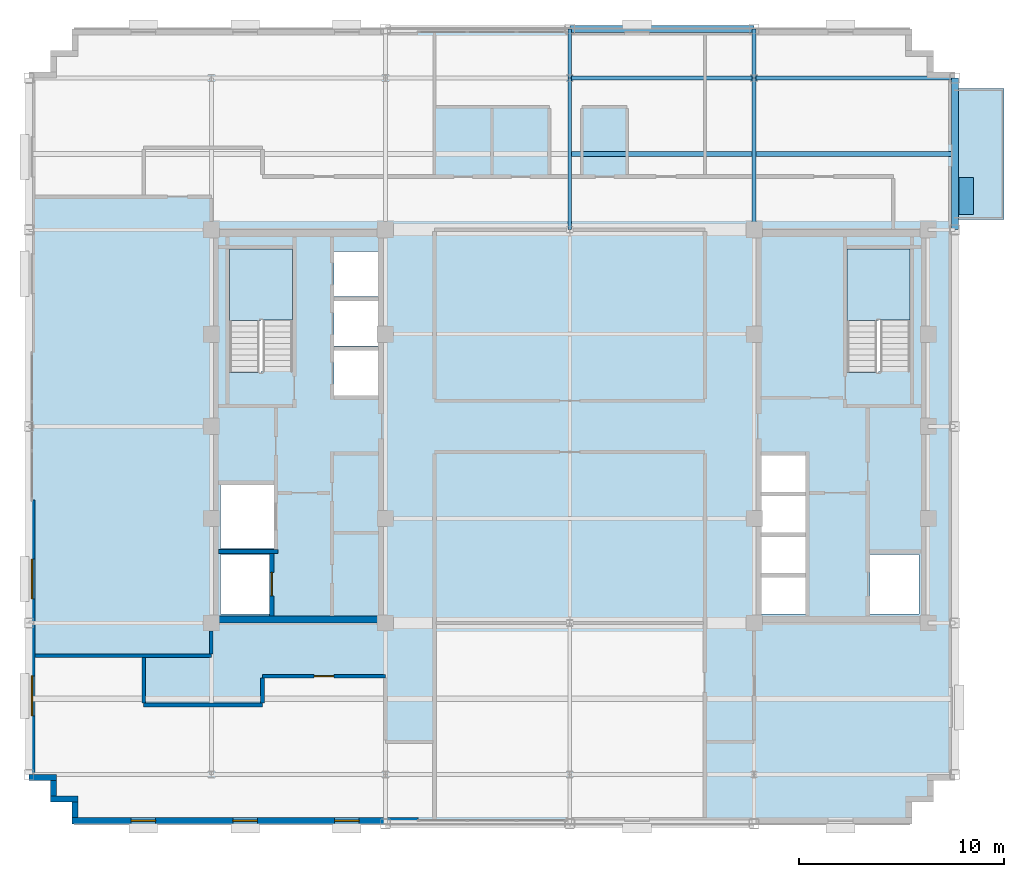
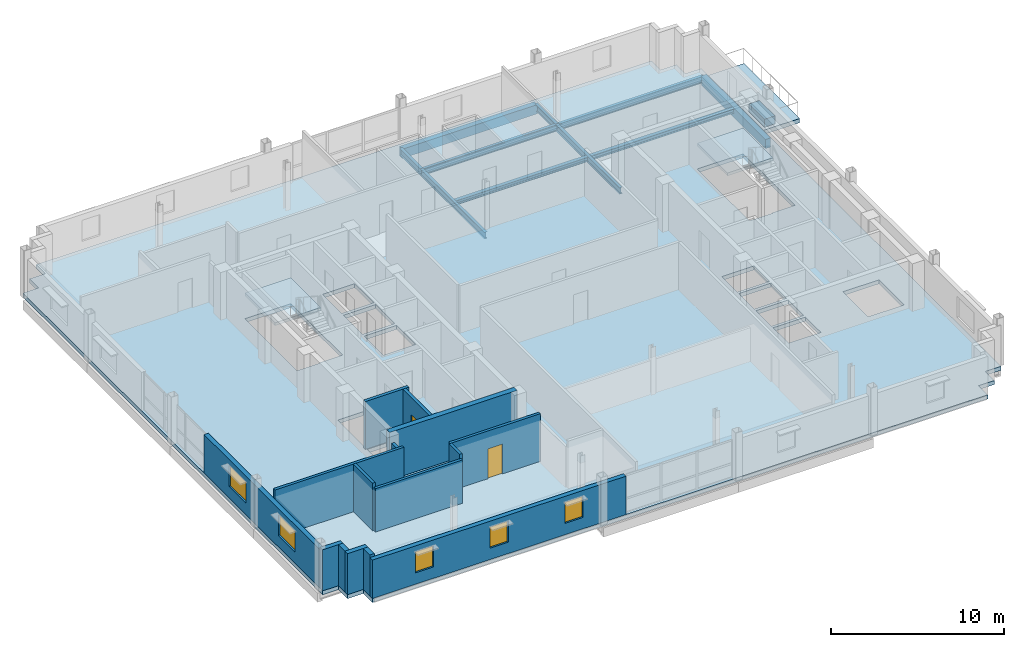
# One storey, part 5 of 16: 15 walls, 10 beams, 5 windows, 4 slabs, 2 doors, 1 plate, 7 openings, 2 elements without a shape of their own.
"""IFC4 building model written with IfcOpenShell, lengths in metres."""

from ifc_helpers import new_model, si_unit, direction, frame, frame_2d, origin, origin_2d, place, context, subcontext, project, spatial, polyline, rectangle, i_section, outline, extrude, source, transform, mapped, material, layer, layer_set, material_profile, profile_set, type_object, type_shapes, element, fill, aggregate, save


model = new_model("IFC4")

# Units and contexts
model_context = context("Model", 3, precision=1e-05, world=origin(), true_north=direction((0.0, 1.0)))
body_context = subcontext(model_context, "Body", "Model", "MODEL_VIEW")
ifc_project = project(units=[si_unit("LENGTHUNIT", "METRE"), si_unit("AREAUNIT", "SQUARE_METRE"), si_unit("VOLUMEUNIT", "CUBIC_METRE"), si_unit("PLANEANGLEUNIT", "RADIAN"), si_unit("MASSUNIT", "GRAM", prefix="KILO")], contexts=[model_context])

# Site, building, storey
site_placement = place(None, origin())
site = spatial("IfcSite", under=ifc_project, at=site_placement, CompositionType="ELEMENT")
building_placement = place(site_placement, origin())
building = spatial("IfcBuilding", under=site, at=building_placement, Name="Nuvemarco Arch Tower", CompositionType="ELEMENT")
storey_placement = place(building_placement, frame((0.0, 0.0, 227.39990234375)))
storey = spatial("IfcBuildingStorey", under=building, at=storey_placement, Name="L60", CompositionType="ELEMENT", Elevation=227.39990234375)

# Beams
ifc_material_1 = material(Name="Steel S355", Category="steel")
ifc_material_profile_1 = material_profile(ifc_material_1, i_section(OverallWidth=0.19189453125, OverallDepth=0.462890625, WebThickness=0.010498046875, FlangeThickness=0.017578125, FilletRadius=0.014892578125, at=origin_2d()), Name="W460x89")
ifc_profile_set_1 = profile_set([ifc_material_profile_1], Name="Steel S355")
beam_type_1 = type_object("IfcBeamType", Name="BM-GIRD-460", PredefinedType="BEAM", material=ifc_profile_set_1)
beam_1_placement = place(storey_placement, frame((0.0, 9.60009765625, -0.511474609375), z_axis=(0.0, 1.0, 0.0), x_axis=(-1.0, 0.0, 0.0)))
element("IfcBeam", 1, at=beam_1_placement, inside=storey, type_object=beam_type_1, Name="L60 structural beam BGNS_L60_0_+0.0_+9.6", PredefinedType="BEAM", context=body_context, shape_type="SweptSolid", body=[
    extrude(i_section(OverallWidth=0.19189453125, OverallDepth=0.462890625, WebThickness=0.010498046875, FlangeThickness=0.017578125, FilletRadius=0.014892578125, at=origin_2d()), origin(), (0.0, 0.0, 1.0), 7.39990234375),
])
beam_2_placement = place(storey_placement, frame((0.0, 17.0, -0.511474609375), z_axis=(0.0, 1.0, 0.0), x_axis=(-1.0, 0.0, 0.0)))
element("IfcBeam", 2, at=beam_2_placement, inside=storey, type_object=beam_type_1, Name="L60 structural beam BGNS_L60_0_+0.0_+17.0", PredefinedType="BEAM", context=body_context, shape_type="SweptSolid", body=[
    extrude(i_section(OverallWidth=0.19189453125, OverallDepth=0.462890625, WebThickness=0.010498046875, FlangeThickness=0.017578125, FilletRadius=0.014892578125, at=origin_2d()), origin(), (0.0, 0.0, 1.0), 2.39990234375),
])
beam_3_placement = place(storey_placement, frame((9.0, 9.60009765625, -0.511474609375), z_axis=(0.0, 1.0, 0.0), x_axis=(-1.0, 0.0, 0.0)))
element("IfcBeam", 3, at=beam_3_placement, inside=storey, type_object=beam_type_1, Name="L60 structural beam BGNS_L60_0_+9.0_+9.6", PredefinedType="BEAM", context=body_context, shape_type="SweptSolid", body=[
    extrude(i_section(OverallWidth=0.19189453125, OverallDepth=0.462890625, WebThickness=0.010498046875, FlangeThickness=0.017578125, FilletRadius=0.014892578125, at=origin_2d()), origin(), (0.0, 0.0, 1.0), 7.39990234375),
])
beam_4_placement = place(storey_placement, frame((9.0, 17.0, -0.511474609375), z_axis=(0.0, 1.0, 0.0), x_axis=(-1.0, 0.0, 0.0)))
element("IfcBeam", 4, at=beam_4_placement, inside=storey, type_object=beam_type_1, Name="L60 structural beam BGNS_L60_0_+9.0_+17.0", PredefinedType="BEAM", context=body_context, shape_type="SweptSolid", body=[
    extrude(i_section(OverallWidth=0.19189453125, OverallDepth=0.462890625, WebThickness=0.010498046875, FlangeThickness=0.017578125, FilletRadius=0.014892578125, at=origin_2d()), origin(), (0.0, 0.0, 1.0), 2.39990234375),
])
beam_5_placement = place(storey_placement, frame((0.0, 17.0, -0.511474609375), z_axis=(1.0, 0.0, 0.0), x_axis=(0.0, 1.0, 0.0)))
element("IfcBeam", 5, at=beam_5_placement, inside=storey, type_object=beam_type_1, Name="L60 structural beam BGEW_L60_0_+17.0_+0.0", PredefinedType="BEAM", context=body_context, shape_type="SweptSolid", body=[
    extrude(i_section(OverallWidth=0.19189453125, OverallDepth=0.462890625, WebThickness=0.010498046875, FlangeThickness=0.017578125, FilletRadius=0.014892578125, at=origin_2d()), origin(), (0.0, 0.0, 1.0), 9.0),
])
beam_6_placement = place(storey_placement, frame((9.0, 17.0, -0.511474609375), z_axis=(1.0, 0.0, 0.0), x_axis=(0.0, 1.0, 0.0)))
element("IfcBeam", 6, at=beam_6_placement, inside=storey, type_object=beam_type_1, Name="L60 structural beam BGEW_L60_0_+17.0_+9.0", PredefinedType="BEAM", context=body_context, shape_type="SweptSolid", body=[
    extrude(i_section(OverallWidth=0.19189453125, OverallDepth=0.462890625, WebThickness=0.010498046875, FlangeThickness=0.017578125, FilletRadius=0.014892578125, at=origin_2d()), origin(), (0.0, 0.0, 1.0), 9.800048828125),
])
ifc_material_profile_2 = material_profile(ifc_material_1, i_section(OverallWidth=0.25390625, OverallDepth=0.305908203125, WebThickness=0.0087890625, FlangeThickness=0.0146484375, FilletRadius=0.014892578125, at=origin_2d()), Name="W310x79")
ifc_profile_set_2 = profile_set([ifc_material_profile_2], Name="Steel S355")
beam_type_2 = type_object("IfcBeamType", Name="BM-JOIST-310H", PredefinedType="JOIST", material=ifc_profile_set_2)
beam_7_placement = place(storey_placement, frame((0.095947265625, 13.300048828125, -0.432861328125), z_axis=(1.0, 0.0, 0.0), x_axis=(0.0, 1.0, 0.0)))
element("IfcBeam", 7, at=beam_7_placement, inside=storey, type_object=beam_type_2, Name="L60 structural beam BJ_L60_0_+13.3_+0.0", PredefinedType="JOIST", context=body_context, shape_type="SweptSolid", body=[
    extrude(i_section(OverallWidth=0.25390625, OverallDepth=0.305908203125, WebThickness=0.0087890625, FlangeThickness=0.0146484375, FilletRadius=0.014892578125, at=origin_2d()), origin(), (0.0, 0.0, 1.0), 8.80810546875),
])
beam_8_placement = place(storey_placement, frame((9.095947265625, 13.300048828125, -0.432861328125), z_axis=(1.0, 0.0, 0.0), x_axis=(0.0, 1.0, 0.0)))
element("IfcBeam", 8, at=beam_8_placement, inside=storey, type_object=beam_type_2, Name="L60 structural beam BJ_L60_0_+13.3_+9.0", PredefinedType="JOIST", context=body_context, shape_type="SweptSolid", body=[
    extrude(i_section(OverallWidth=0.25390625, OverallDepth=0.305908203125, WebThickness=0.0087890625, FlangeThickness=0.0146484375, FilletRadius=0.014892578125, at=origin_2d()), origin(), (0.0, 0.0, 1.0), 9.529052734375),
])
ifc_material_2 = material(Name="Precast concrete C45/55", Category="concrete")
ifc_material_profile_3 = material_profile(ifc_material_2, rectangle(XDim=0.35009765625, YDim=0.64990234375, at=origin_2d()), Name="PC-SP-350x650")
ifc_profile_set_3 = profile_set([ifc_material_profile_3], Name="Precast concrete C45/55")
beam_type_3 = type_object("IfcBeamType", Name="BM-SPAN-RC", PredefinedType="SPANDREL", material=ifc_profile_set_3)
beam_9_placement = place(storey_placement, frame((18.800048828125, 9.60009765625, -0.60498046875), z_axis=(0.0, 1.0, 0.0), x_axis=(-1.0, 0.0, 0.0)))
element("IfcBeam", 9, at=beam_9_placement, inside=storey, type_object=beam_type_3, Name="L60 structural beam BGNS_L60_0_+18.8_+9.6", PredefinedType="SPANDREL", context=body_context, shape_type="SweptSolid", body=[
    extrude(rectangle(XDim=0.35009765625, YDim=0.64990234375, at=origin_2d()), origin(), (0.0, 0.0, 1.0), 7.39990234375),
])
beam_10_placement = place(storey_placement, frame((0.0, 19.39990234375, -0.60498046875), z_axis=(1.0, 0.0, 0.0), x_axis=(0.0, 1.0, 0.0)))
element("IfcBeam", 10, at=beam_10_placement, inside=storey, type_object=beam_type_3, Name="L60 structural beam BGEW_L60_0_+19.4_+0.0", PredefinedType="SPANDREL", context=body_context, shape_type="SweptSolid", body=[
    extrude(rectangle(XDim=0.35009765625, YDim=0.64990234375, at=origin_2d()), origin(), (0.0, 0.0, 1.0), 9.0),
])

# Slab
ifc_material_3 = material(Name="Concrete C50/60", Category="concrete")
ifc_layer_1 = layer(ifc_material_3, 0.280029296875, Name="SL-FLR-280")
ifc_layer_set_1 = layer_set([ifc_layer_1], Name="Concrete C50/60")
slab_type_1 = type_object("IfcSlabType", Name="SL-FLR-280", PredefinedType="FLOOR", material=ifc_layer_set_1)
slab_1_placement = place(storey_placement, frame((0.0, 0.0, -0.27978515625)))
element("IfcSlab", 11, at=slab_1_placement, inside=storey, type_object=slab_type_1, Name="L60 structural floor slab", PredefinedType="FLOOR", context=body_context, shape_type="SweptSolid", body=[
    extrude(outline(polyline([(-24.300048828125, -19.39990234375), (16.699951171875, -19.39990234375), (16.699951171875, -18.35009765625), (17.75, -18.35009765625), (17.75, -17.300048828125), (18.800048828125, -17.300048828125), (18.800048828125, 17.300048828125), (17.75, 17.300048828125), (17.75, 18.35009765625), (16.699951171875, 18.35009765625), (16.699951171875, 19.39990234375), (-24.300048828125, 19.39990234375), (-24.300048828125, 18.35009765625), (-25.35009765625, 18.35009765625), (-25.35009765625, 17.300048828125), (-26.39990234375, 17.300048828125), (-26.39990234375, -17.300048828125), (-25.35009765625, -17.300048828125), (-25.35009765625, -18.35009765625), (-24.300048828125, -18.35009765625), (-24.300048828125, -19.39990234375)]), holes=[polyline([(-13.5400390625, 2.669921875), (-13.5400390625, 8.64990234375), (-16.60009765625, 8.64990234375), (-16.60009765625, 2.630615234375), (-15.070068359375, 2.630615234375), (-15.070068359375, 2.669921875), (-13.5400390625, 2.669921875)]), polyline([(16.60009765625, 2.669921875), (16.60009765625, 8.64990234375), (13.5400390625, 8.64990234375), (13.5400390625, 2.630615234375), (15.070068359375, 2.630615234375), (15.070068359375, 2.669921875), (16.60009765625, 2.669921875)]), polyline([(-17.050048828125, -9.14990234375), (-14.64990234375, -9.14990234375), (-14.64990234375, -6.25), (-17.050048828125, -6.25), (-17.050048828125, -9.14990234375)]), polyline([(-17.050048828125, -5.949951171875), (-14.449951171875, -5.949951171875), (-14.449951171875, -2.85009765625), (-17.050048828125, -2.85009765625), (-17.050048828125, -5.949951171875)]), polyline([(-11.5, 1.5), (-9.35009765625, 1.5), (-9.35009765625, 3.699951171875), (-11.5, 3.699951171875), (-11.5, 1.5)]), polyline([(-11.5, 3.919921875), (-9.35009765625, 3.919921875), (-9.35009765625, 6.1201171875), (-11.5, 6.1201171875), (-11.5, 3.919921875)]), polyline([(-11.5, 6.340087890625), (-9.35009765625, 6.340087890625), (-9.35009765625, 8.5400390625), (-11.5, 8.5400390625), (-11.5, 6.340087890625)]), polyline([(14.64990234375, -9.14990234375), (17.050048828125, -9.14990234375), (17.050048828125, -6.25), (14.64990234375, -6.25), (14.64990234375, -9.14990234375)]), polyline([(9.35009765625, -9.14990234375), (11.5, -9.14990234375), (11.5, -7.3701171875), (9.35009765625, -7.3701171875), (9.35009765625, -9.14990234375)]), polyline([(9.35009765625, -7.169921875), (11.5, -7.169921875), (11.5, -5.389892578125), (9.35009765625, -5.389892578125), (9.35009765625, -7.169921875)]), polyline([(9.35009765625, -5.18994140625), (11.5, -5.18994140625), (11.5, -3.409912109375), (9.35009765625, -3.409912109375), (9.35009765625, -5.18994140625)]), polyline([(9.35009765625, -3.2099609375), (11.5, -3.2099609375), (11.5, -1.429931640625), (9.35009765625, -1.429931640625), (9.35009765625, -3.2099609375)])]), origin(), (0.0, 0.0, 1.0), 0.27978515625),
])

# Stair, slab
stair_type = type_object("IfcStairType", Name="ST-CORE-20R", PredefinedType="HALF_TURN_STAIR", material=ifc_material_2)
stair_1_placement = place(storey_placement, origin())
stair_1 = element("IfcStair", 12, at=stair_1_placement, inside=storey, type_object=stair_type, Name="L60 Protected Exit Stair ST-1", PredefinedType="HALF_TURN_STAIR")
ifc_layer_2 = layer(ifc_material_2, 0.199951171875, Name="SL-LANDING-200")
ifc_layer_set_2 = layer_set([ifc_layer_2], Name="Precast concrete C45/55")
slab_type_2 = type_object("IfcSlabType", Name="SL-LANDING-200", PredefinedType="LANDING", material=ifc_layer_set_2)
slab_2_placement = place(storey_placement, frame((0.0, 0.0, 1.625)))
slab_2 = element("IfcSlab", 13, at=slab_2_placement, type_object=slab_type_2, Name="ST-20R landing 1", PredefinedType="LANDING", context=body_context, shape_type="SweptSolid", body=[
    extrude(outline(polyline([(-13.5400390625, 5.189453125), (-13.5400390625, 8.64990234375), (-16.60009765625, 8.64990234375), (-16.60009765625, 5.169921875), (-15.070068359375, 5.169921875), (-15.070068359375, 5.189453125), (-13.5400390625, 5.189453125)])), origin(), (0.0, 0.0, 1.0), 0.2001953125),
])
aggregate(stair_1, [slab_2])

stair_2_placement = place(storey_placement, origin())
stair_2 = element("IfcStair", 14, at=stair_2_placement, inside=storey, type_object=stair_type, Name="L60 Protected Exit Stair ST-2", PredefinedType="HALF_TURN_STAIR")
slab_3_placement = place(storey_placement, frame((0.0, 0.0, 1.625)))
slab_3 = element("IfcSlab", 15, at=slab_3_placement, type_object=slab_type_2, Name="ST-20R landing 1", PredefinedType="LANDING", context=body_context, shape_type="SweptSolid", body=[
    extrude(outline(polyline([(16.60009765625, 5.189453125), (16.60009765625, 8.64990234375), (13.5400390625, 8.64990234375), (13.5400390625, 5.169921875), (15.070068359375, 5.169921875), (15.070068359375, 5.189453125), (16.60009765625, 5.189453125)])), origin(), (0.0, 0.0, 1.0), 0.2001953125),
])
aggregate(stair_2, [slab_3])

# Slab
ifc_layer_3 = layer(ifc_material_3, 0.294921875, Name="SL-TR4")
ifc_layer_set_3 = layer_set([ifc_layer_3], Name="Concrete C50/60")
slab_type_3 = type_object("IfcSlabType", Name="SL-TR4", PredefinedType="FLOOR", material=ifc_layer_set_3)
slab_4_placement = place(storey_placement, frame((0.0, 0.0, -0.294921875)))
element("IfcSlab", 16, at=slab_4_placement, inside=storey, type_object=slab_type_3, Name="L60 outdoor spiral terrace slab 1", PredefinedType="FLOOR", context=body_context, shape_type="SweptSolid", body=[
    extrude(outline(polyline([(18.800048828125, 10.10009765625), (21.199951171875, 10.10009765625), (21.199951171875, 16.5), (18.800048828125, 16.5), (18.800048828125, 10.10009765625)])), origin(), (0.0, 0.0, 1.0), 0.294921875),
])

# Plate
ifc_layer_4 = layer(ifc_material_2, 0.550048828125, Name="Tree Balcony Structural Planter")
ifc_layer_set_4 = layer_set([ifc_layer_4], Name="Precast concrete C45/55")
plate_type = type_object("IfcPlateType", Name="Tree Balcony Structural Planter", PredefinedType="USERDEFINED", material=ifc_layer_set_4)
shared_shape_1 = source(origin(), body_context, "Body", "SweptSolid", [
    extrude(rectangle(XDim=1.800048828125, YDim=0.699951171875, at=origin_2d()), origin(), (0.0, 0.0, 1.0), 0.550048828125),
])
type_shapes(plate_type, [shared_shape_1])
plate_placement = place(storey_placement, frame((19.35009765625, 11.25, 0.0), z_axis=(0.0, 0.0, 1.0), x_axis=(0.0, 1.0, 0.0)))
element("IfcPlate", 17, at=plate_placement, inside=storey, type_object=plate_type, Name="L60 Tree Balcony Structural Planter", ObjectType="PLANTER", PredefinedType="USERDEFINED", context=body_context, shape_type="MappedRepresentation", body=[
    mapped(shared_shape_1, transform((0.0, 0.0, 0.0), scale=1.0)),
])

# Wall, openings, windows
ifc_layer_5 = layer(ifc_material_2, 0.300048828125, Name="EW-HIGH-300")
ifc_layer_set_5 = layer_set([ifc_layer_5], Name="Precast concrete C45/55")
wall_type_1 = type_object("IfcWallType", Name="EW-HIGH-300", PredefinedType="STANDARD", material=ifc_layer_set_5)
wall_1_placement = place(storey_placement, frame((-24.300048828125, -19.25, 0.0), z_axis=(0.0, 0.0, 1.0), x_axis=(1.0, 0.0, 0.0)))
wall_1 = element("IfcWall", 18, at=wall_1_placement, inside=storey, type_object=wall_type_1, Name="L60 exterior precast pier wall south left", PredefinedType="STANDARD", context=body_context, shape_type="SweptSolid", body=[
    extrude(rectangle(XDim=16.900146484375, YDim=0.300048828125, at=frame_2d((8.4501953125, 0.0))), origin(), (0.0, 0.0, 1.0), 2.705078125),
])
opening_1_placement = place(wall_1_placement, frame((2.88330078125, 0.0, 0.800048828125)))
opening_1 = element("IfcOpeningElement", 19, at=opening_1_placement, cuts=wall_1, Name="Opening WN-8", PredefinedType="OPENING", context=body_context, shape_type="SweptSolid", body=[
    extrude(rectangle(XDim=1.199951171875, YDim=1.47998046875, at=frame_2d((0.60009765625, 0.739990234375))), frame((0.0, 0.159912109375, 0.0), z_axis=(0.0, -1.0, 0.0), x_axis=(1.0, 0.0, 0.0)), (0.0, 0.0, 1.0), 0.320068359375),
])
opening_2_placement = place(wall_1_placement, frame((7.85009765625, 0.0, 0.800048828125)))
opening_2 = element("IfcOpeningElement", 20, at=opening_2_placement, cuts=wall_1, Name="Opening WN-8", PredefinedType="OPENING", context=body_context, shape_type="SweptSolid", body=[
    extrude(rectangle(XDim=1.199951171875, YDim=1.47998046875, at=frame_2d((0.60009765625, 0.739990234375))), frame((0.0, 0.159912109375, 0.0), z_axis=(0.0, -1.0, 0.0), x_axis=(1.0, 0.0, 0.0)), (0.0, 0.0, 1.0), 0.320068359375),
])
opening_3_placement = place(wall_1_placement, frame((12.816650390625, 0.0, 0.800048828125)))
opening_3 = element("IfcOpeningElement", 21, at=opening_3_placement, cuts=wall_1, Name="Opening WN-8", PredefinedType="OPENING", context=body_context, shape_type="SweptSolid", body=[
    extrude(rectangle(XDim=1.199951171875, YDim=1.47998046875, at=frame_2d((0.60009765625, 0.739990234375))), frame((0.0, 0.159912109375, 0.0), z_axis=(0.0, -1.0, 0.0), x_axis=(1.0, 0.0, 0.0)), (0.0, 0.0, 1.0), 0.320068359375),
])
ifc_material_4 = material(Name="Insulated solar-control glass", Category="glass")
window_type_1 = type_object("IfcWindowType", Name="WN-HIGH-1200x1480", PartitioningType="SINGLE_PANEL", PredefinedType="WINDOW", material=ifc_material_4)
shared_shape_2 = source(origin(), body_context, "Body", "SweptSolid", [
    extrude(rectangle(XDim=1.199951171875, YDim=1.47998046875, at=frame_2d((0.60009765625, 0.739990234375))), frame((0.0, 0.030029296875, 0.0), z_axis=(0.0, -1.0, 0.0), x_axis=(1.0, 0.0, 0.0)), (0.0, 0.0, 1.0), 0.06005859375),
])
type_shapes(window_type_1, [shared_shape_2])
window_1_placement = place(opening_1_placement, origin())
window_1 = element("IfcWindow", 22, at=window_1_placement, inside=storey, type_object=window_type_1, Name="L60 punched facade window 1", OverallHeight=1.47998046875, OverallWidth=1.199951171875, PartitioningType="SINGLE_PANEL", PredefinedType="WINDOW", context=body_context, shape_type="MappedRepresentation", body=[
    mapped(shared_shape_2, transform((0.0, 0.0, 0.0), scale=1.0)),
])
fill(opening_1, window_1)
window_2_placement = place(opening_2_placement, origin())
window_2 = element("IfcWindow", 23, at=window_2_placement, inside=storey, type_object=window_type_1, Name="L60 punched facade window 2", OverallHeight=1.47998046875, OverallWidth=1.199951171875, PartitioningType="SINGLE_PANEL", PredefinedType="WINDOW", context=body_context, shape_type="MappedRepresentation", body=[
    mapped(shared_shape_2, transform((0.0, 0.0, 0.0), scale=1.0)),
])
fill(opening_2, window_2)
window_3_placement = place(opening_3_placement, origin())
window_3 = element("IfcWindow", 24, at=window_3_placement, inside=storey, type_object=window_type_1, Name="L60 punched facade window 3", OverallHeight=1.47998046875, OverallWidth=1.199951171875, PartitioningType="SINGLE_PANEL", PredefinedType="WINDOW", context=body_context, shape_type="MappedRepresentation", body=[
    mapped(shared_shape_2, transform((0.0, 0.0, 0.0), scale=1.0)),
])
fill(opening_3, window_3)

wall_2_placement = place(storey_placement, frame((-26.25, -17.00390625, 0.0), z_axis=(0.0, 0.0, 1.0), x_axis=(0.0, 1.0, 0.0)))
wall_2 = element("IfcWall", 25, at=wall_2_placement, inside=storey, type_object=wall_type_1, Name="L60 exterior precast pier wall west left", PredefinedType="STANDARD", context=body_context, shape_type="SweptSolid", body=[
    extrude(rectangle(XDim=13.40380859375, YDim=0.300048828125, at=frame_2d((6.701904296875, 0.0))), origin(), (0.0, 0.0, 1.0), 2.705078125),
])
opening_4_placement = place(wall_2_placement, frame((2.8759765625, 0.0, 0.800048828125)))
opening_4 = element("IfcOpeningElement", 26, at=opening_4_placement, cuts=wall_2, Name="Opening WN-7", PredefinedType="OPENING", context=body_context, shape_type="SweptSolid", body=[
    extrude(rectangle(XDim=1.949951171875, YDim=1.47998046875, at=frame_2d((0.97509765625, 0.739990234375))), frame((0.0, 0.159912109375, 0.0), z_axis=(0.0, -1.0, 0.0), x_axis=(1.0, 0.0, 0.0)), (0.0, 0.0, 1.0), 0.320068359375),
])
opening_5_placement = place(wall_2_placement, frame((8.577880859375, 0.0, 0.800048828125)))
opening_5 = element("IfcOpeningElement", 27, at=opening_5_placement, cuts=wall_2, Name="Opening WN-7", PredefinedType="OPENING", context=body_context, shape_type="SweptSolid", body=[
    extrude(rectangle(XDim=1.949951171875, YDim=1.47998046875, at=frame_2d((0.97509765625, 0.739990234375))), frame((0.0, 0.159912109375, 0.0), z_axis=(0.0, -1.0, 0.0), x_axis=(1.0, 0.0, 0.0)), (0.0, 0.0, 1.0), 0.320068359375),
])
window_type_2 = type_object("IfcWindowType", Name="WN-HIGH-1950x1480", PartitioningType="DOUBLE_PANEL_VERTICAL", PredefinedType="WINDOW", material=ifc_material_4)
shared_shape_3 = source(origin(), body_context, "Body", "SweptSolid", [
    extrude(rectangle(XDim=1.949951171875, YDim=1.47998046875, at=frame_2d((0.97509765625, 0.739990234375))), frame((0.0, 0.030029296875, 0.0), z_axis=(0.0, -1.0, 0.0), x_axis=(1.0, 0.0, 0.0)), (0.0, 0.0, 1.0), 0.06005859375),
])
type_shapes(window_type_2, [shared_shape_3])
window_4_placement = place(opening_4_placement, origin())
window_4 = element("IfcWindow", 28, at=window_4_placement, inside=storey, type_object=window_type_2, Name="L60 punched facade window 1", OverallHeight=1.47998046875, OverallWidth=1.949951171875, PartitioningType="SINGLE_PANEL", PredefinedType="WINDOW", context=body_context, shape_type="MappedRepresentation", body=[
    mapped(shared_shape_3, transform((0.0, 0.0, 0.0), scale=1.0)),
])
fill(opening_4, window_4)
window_5_placement = place(opening_5_placement, origin())
window_5 = element("IfcWindow", 29, at=window_5_placement, inside=storey, type_object=window_type_2, Name="L60 punched facade window 2", OverallHeight=1.47998046875, OverallWidth=1.949951171875, PartitioningType="SINGLE_PANEL", PredefinedType="WINDOW", context=body_context, shape_type="MappedRepresentation", body=[
    mapped(shared_shape_3, transform((0.0, 0.0, 0.0), scale=1.0)),
])
fill(opening_5, window_5)

# Walls
wall_3_placement = place(storey_placement, frame((-26.39990234375, -17.14990234375, 0.0), z_axis=(0.0, 0.0, 1.0), x_axis=(1.0, 0.0, 0.0)))
element("IfcWall", 30, at=wall_3_placement, inside=storey, type_object=wall_type_1, Name="L60 exterior precast facade wall 17", PredefinedType="STANDARD", context=body_context, shape_type="SweptSolid", body=[
    extrude(rectangle(XDim=1.349853515625, YDim=0.300048828125, at=frame_2d((0.6748046875, 0.0))), origin(), (0.0, 0.0, 1.0), 2.89208984375),
])
wall_4_placement = place(storey_placement, frame((-25.199951171875, -18.053955078125, 0.0), z_axis=(0.0, 0.0, 1.0), x_axis=(0.0, 1.0, 0.0)))
element("IfcWall", 31, at=wall_4_placement, inside=storey, type_object=wall_type_1, Name="L60 exterior precast facade wall 18", PredefinedType="STANDARD", context=body_context, shape_type="SweptSolid", body=[
    extrude(rectangle(XDim=0.758056640625, YDim=0.300048828125, at=frame_2d((0.37890625, 0.0))), origin(), (0.0, 0.0, 1.0), 2.89208984375),
])
wall_5_placement = place(storey_placement, frame((-25.35009765625, -18.199951171875, 0.0), z_axis=(0.0, 0.0, 1.0), x_axis=(1.0, 0.0, 0.0)))
element("IfcWall", 32, at=wall_5_placement, inside=storey, type_object=wall_type_1, Name="L60 exterior precast facade wall 19", PredefinedType="STANDARD", context=body_context, shape_type="SweptSolid", body=[
    extrude(rectangle(XDim=1.35009765625, YDim=0.300048828125, at=frame_2d((0.675048828125, 0.0))), origin(), (0.0, 0.0, 1.0), 2.89208984375),
])
wall_6_placement = place(storey_placement, frame((-24.14990234375, -19.10400390625, 0.0), z_axis=(0.0, 0.0, 1.0), x_axis=(0.0, 1.0, 0.0)))
element("IfcWall", 33, at=wall_6_placement, inside=storey, type_object=wall_type_1, Name="L60 exterior precast facade wall 20", PredefinedType="STANDARD", context=body_context, shape_type="SweptSolid", body=[
    extrude(rectangle(XDim=0.758056640625, YDim=0.300048828125, at=frame_2d((0.37890625, 0.0))), origin(), (0.0, 0.0, 1.0), 2.89208984375),
])
ifc_layer_6 = layer(ifc_material_3, 0.35009765625, Name="WL-CORE-350")
ifc_layer_set_6 = layer_set([ifc_layer_6], Name="Concrete C50/60")
wall_type_2 = type_object("IfcWallType", Name="WL-CORE-350", PredefinedType="SHEAR", material=ifc_layer_set_6)
wall_7_placement = place(storey_placement, frame((-17.5, -9.425048828125, 0.0), z_axis=(0.0, 0.0, 1.0), x_axis=(1.0, 0.0, 0.0)))
element("IfcWall", 34, at=wall_7_placement, inside=storey, type_object=wall_type_2, Name="L60 W-core shear wall S", PredefinedType="SHEAR", context=body_context, shape_type="SweptSolid", body=[
    extrude(rectangle(XDim=8.5, YDim=0.35009765625, at=frame_2d((4.25, 0.0))), origin(), (0.0, 0.0, 1.0), 3.3701171875),
])
ifc_material_5 = material(Name="Fire-rated gypsum drywall partition")
ifc_layer_7 = layer(ifc_material_5, 0.179931640625, Name="WL-CORR-180")
ifc_layer_set_7 = layer_set([ifc_layer_7], Name="Fire-rated gypsum drywall partition")
wall_type_3 = type_object("IfcWallType", Name="WL-CORR-180", PredefinedType="PARTITIONING", material=ifc_layer_set_7)
wall_8_placement = place(storey_placement, frame((-20.800048828125, -13.60009765625, 0.0), z_axis=(0.0, 0.0, 1.0), x_axis=(1.0, 0.0, 0.0)))
element("IfcWall", 35, at=wall_8_placement, inside=storey, type_object=wall_type_3, Name="L60 interior wall IW-L60-003", PredefinedType="PARTITIONING", context=body_context, shape_type="SweptSolid", body=[
    extrude(rectangle(XDim=5.800048828125, YDim=0.179931640625, at=frame_2d((2.89990234375, 0.0))), origin(), (0.0, 0.0, 1.0), 3.049072265625),
])

# Wall, opening, door
wall_9_placement = place(storey_placement, frame((-15.0, -12.199951171875, 0.0), z_axis=(0.0, 0.0, 1.0), x_axis=(1.0, 0.0, 0.0)))
wall_9 = element("IfcWall", 36, at=wall_9_placement, inside=storey, type_object=wall_type_3, Name="L60 interior wall IW-L60-004", PredefinedType="PARTITIONING", context=body_context, shape_type="SweptSolid", body=[
    extrude(rectangle(XDim=6.0, YDim=0.179931640625, at=frame_2d((3.0, 0.0))), origin(), (0.0, 0.0, 1.0), 3.360107421875),
])
opening_6_placement = place(wall_9_placement, frame((2.52001953125, 0.0, 0.0)))
opening_6 = element("IfcOpeningElement", 37, at=opening_6_placement, cuts=wall_9, Name="Opening FD-5", PredefinedType="OPENING", context=body_context, shape_type="SweptSolid", body=[
    extrude(rectangle(XDim=0.9599609375, YDim=2.10009765625, at=frame_2d((0.47998046875, 1.050048828125))), frame((0.0, 0.099853515625, 0.0), z_axis=(0.0, -1.0, 0.0), x_axis=(1.0, 0.0, 0.0)), (0.0, 0.0, 1.0), 0.199951171875),
])
ifc_material_6 = material(Name="Timber fire door", Category="wood")
door_type_1 = type_object("IfcDoorType", Name="DR-CORR-FD", OperationType="NOTDEFINED", PredefinedType="DOOR", material=ifc_material_6)
shared_shape_4 = source(origin(), body_context, "Body", "SweptSolid", [
    extrude(rectangle(XDim=0.9599609375, YDim=2.10009765625, at=frame_2d((0.47998046875, 1.050048828125))), frame((0.0, 0.02490234375, 0.0), z_axis=(0.0, -1.0, 0.0), x_axis=(1.0, 0.0, 0.0)), (0.0, 0.0, 1.0), 0.050048828125),
])
type_shapes(door_type_1, [shared_shape_4])
door_1_placement = place(opening_6_placement, origin())
door_1 = element("IfcDoor", 38, at=door_1_placement, inside=storey, type_object=door_type_1, Name="L60 door DR-L60-S_1", OperationType="SINGLE_SWING_RIGHT", OverallHeight=2.10009765625, OverallWidth=0.9599609375, PredefinedType="DOOR", context=body_context, shape_type="MappedRepresentation", body=[
    mapped(shared_shape_4, transform((0.0, 0.0, 0.0), scale=1.0)),
])
fill(opening_6, door_1)

# Walls
wall_10_placement = place(storey_placement, frame((-26.10009765625, -11.199951171875, 0.0), z_axis=(0.0, 0.0, 1.0), x_axis=(1.0, 0.0, 0.0)))
element("IfcWall", 39, at=wall_10_placement, inside=storey, type_object=wall_type_3, Name="L60 interior wall IW-L60-005", PredefinedType="PARTITIONING", context=body_context, shape_type="SweptSolid", body=[
    extrude(rectangle(XDim=8.60009765625, YDim=0.179931640625, at=frame_2d((4.300048828125, 0.0))), origin(), (0.0, 0.0, 1.0), 3.360107421875),
])
wall_11_placement = place(storey_placement, frame((-20.800048828125, -13.513916015625, 0.0), z_axis=(0.0, 0.0, 1.0), x_axis=(0.0, 1.0, 0.0)))
element("IfcWall", 40, at=wall_11_placement, inside=storey, type_object=wall_type_3, Name="L60 interior wall IW-L60-017", PredefinedType="PARTITIONING", context=body_context, shape_type="SweptSolid", body=[
    extrude(rectangle(XDim=2.22802734375, YDim=0.179931640625, at=frame_2d((1.114013671875, 0.0))), origin(), (0.0, 0.0, 1.0), 3.360107421875),
])
wall_12_placement = place(storey_placement, frame((-17.5, -11.114013671875, 0.0), z_axis=(0.0, 0.0, 1.0), x_axis=(0.0, 1.0, 0.0)))
element("IfcWall", 41, at=wall_12_placement, inside=storey, type_object=wall_type_3, Name="L60 interior wall IW-L60-019", PredefinedType="PARTITIONING", context=body_context, shape_type="SweptSolid", body=[
    extrude(rectangle(XDim=1.117919921875, YDim=0.179931640625, at=frame_2d((0.55908203125, 0.0))), origin(), (0.0, 0.0, 1.0), 2.89208984375),
])
wall_13_placement = place(storey_placement, frame((-15.0, -13.513916015625, 0.0), z_axis=(0.0, 0.0, 1.0), x_axis=(0.0, 1.0, 0.0)))
element("IfcWall", 42, at=wall_13_placement, inside=storey, type_object=wall_type_3, Name="L60 interior wall IW-L60-021", PredefinedType="PARTITIONING", context=body_context, shape_type="SweptSolid", body=[
    extrude(rectangle(XDim=1.22802734375, YDim=0.179931640625, at=frame_2d((0.614013671875, 0.0))), origin(), (0.0, 0.0, 1.0), 3.360107421875),
])

# Wall, opening, door
ifc_layer_8 = layer(ifc_material_3, 0.199951171875, Name="WL-SHAFT-220")
ifc_layer_set_8 = layer_set([ifc_layer_8], Name="Concrete C50/60")
wall_type_4 = type_object("IfcWallType", Name="WL-SHAFT-220", PredefinedType="SHEAR", material=ifc_layer_set_8)
wall_14_placement = place(storey_placement, frame((-14.550048828125, -9.2548828125, 0.0), z_axis=(0.0, 0.0, 1.0), x_axis=(0.0, 1.0, 0.0)))
wall_14 = element("IfcWall", 43, at=wall_14_placement, inside=storey, type_object=wall_type_4, Name="L60 structural shaft wall SW-L60-W-SHE", PredefinedType="SHEAR", context=body_context, shape_type="SweptSolid", body=[
    extrude(rectangle(XDim=3.059814453125, YDim=0.199951171875, at=frame_2d((1.52978515625, 0.0))), origin(), (0.0, 0.0, 1.0), 3.3701171875),
])
opening_7_placement = place(wall_14_placement, frame((0.97998046875, 0.0, 0.0)))
opening_7 = element("IfcOpeningElement", 44, at=opening_7_placement, cuts=wall_14, Name="Opening LD-2", PredefinedType="OPENING", context=body_context, shape_type="SweptSolid", body=[
    extrude(rectangle(XDim=1.14990234375, YDim=2.14990234375, at=frame_2d((0.574951171875, 1.074951171875))), frame((0.0, 0.10986328125, 0.0), z_axis=(0.0, -1.0, 0.0), x_axis=(1.0, 0.0, 0.0)), (0.0, 0.0, 1.0), 0.219970703125),
])
ifc_material_7 = material(Name="Stainless steel lift door", Category="steel")
door_type_2 = type_object("IfcDoorType", Name="DR-LIFT-FIRE", OperationType="DOUBLE_DOOR_SLIDING", PredefinedType="DOOR", material=ifc_material_7)
shared_shape_5 = source(origin(), body_context, "Body", "SweptSolid", [
    extrude(rectangle(XDim=1.14990234375, YDim=2.14990234375, at=frame_2d((0.574951171875, 1.074951171875))), frame((0.0, 0.02490234375, 0.0), z_axis=(0.0, -1.0, 0.0), x_axis=(1.0, 0.0, 0.0)), (0.0, 0.0, 1.0), 0.050048828125),
])
type_shapes(door_type_2, [shared_shape_5])
door_2_placement = place(opening_7_placement, origin())
door_2 = element("IfcDoor", 45, at=door_2_placement, inside=storey, type_object=door_type_2, Name="L60 Lift landing sliding door FFL-1", OperationType="DOUBLE_DOOR_SLIDING", OverallHeight=2.14990234375, OverallWidth=1.14990234375, PredefinedType="DOOR", context=body_context, shape_type="MappedRepresentation", body=[
    mapped(shared_shape_5, transform((0.0, 0.0, 0.0), scale=1.0)),
])
fill(opening_7, door_2)

# Wall
wall_15_placement = place(storey_placement, frame((-17.155029296875, -6.10009765625, 0.0), z_axis=(0.0, 0.0, 1.0), x_axis=(1.0, 0.0, 0.0)))
element("IfcWall", 46, at=wall_15_placement, inside=storey, type_object=wall_type_4, Name="L60 structural shaft wall SW-L60-W-SH1", PredefinedType="SHEAR", context=body_context, shape_type="SweptSolid", body=[
    extrude(rectangle(XDim=2.905029296875, YDim=0.199951171875, at=frame_2d((1.45263671875, 0.0))), origin(), (0.0, 0.0, 1.0), 3.3701171875),
])

save(model, "model.ifc")
